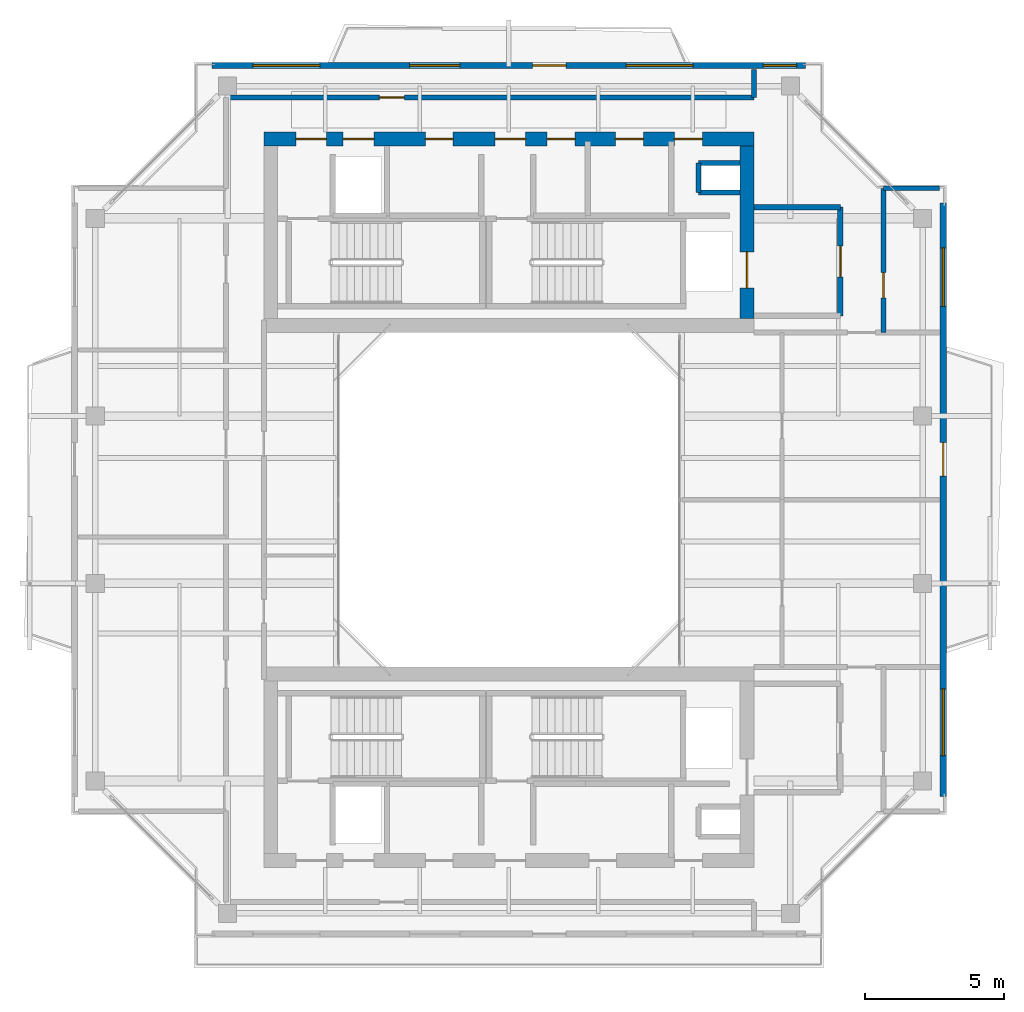
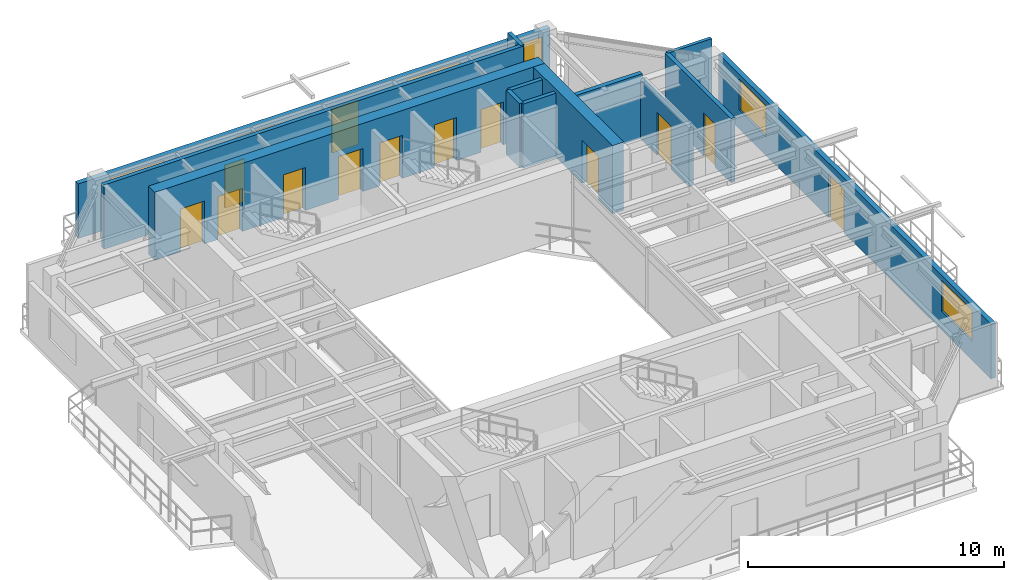
# One storey, part 11 of 15: 13 doors, 13 walls, 6 windows, 19 openings.
"""IFC4 building model written with IfcOpenShell, lengths in metres."""

from ifc_helpers import new_model, si_unit, direction, frame, frame_2d, origin, place, context, subcontext, project, spatial, rectangle, extrude, source, transform, mapped, material, layer, layer_set, type_object, element, fill, save


model = new_model("IFC4")

# Units and contexts
model_context = context("Model", 3, precision=1e-05, world=origin(), true_north=direction((0.0, 1.0)))
body_context = subcontext(model_context, "Body", "Model", "MODEL_VIEW")
ifc_project = project(units=[si_unit("LENGTHUNIT", "METRE"), si_unit("AREAUNIT", "SQUARE_METRE"), si_unit("VOLUMEUNIT", "CUBIC_METRE"), si_unit("PLANEANGLEUNIT", "RADIAN"), si_unit("MASSUNIT", "GRAM", prefix="KILO"), si_unit("THERMODYNAMICTEMPERATUREUNIT", "KELVIN"), si_unit("POWERUNIT", "WATT")], contexts=[model_context])

# Site, building, storey
site_placement = place(None, origin())
site = spatial("IfcSite", under=ifc_project, at=site_placement, CompositionType="ELEMENT")
building_placement = place(site_placement, origin())
building = spatial("IfcBuilding", under=site, at=building_placement, Name="Qiaomeng Ring Towers", CompositionType="ELEMENT")
storey_placement = place(building_placement, frame((0.0, 0.0, 237.25)))
storey = spatial("IfcBuildingStorey", under=building, at=storey_placement, Name="L69", CompositionType="ELEMENT", Elevation=237.25)

# Wall, openings, windows, door
ifc_material_1 = material(Name="Precast concrete C40", Category="concrete")
ifc_layer_1 = layer(ifc_material_1, 0.219970703125, Name="Precast concrete C40")
ifc_layer_set_1 = layer_set([ifc_layer_1], Name="Precast concrete C40")
wall_type_1 = type_object("IfcWallType", Name="ARC-WL-EW2", PredefinedType="STANDARD", material=ifc_layer_set_1)
wall_1_placement = place(storey_placement, frame((8.35009765625, 38.590087890625, 0.0), z_axis=(0.0, 0.0, 1.0), x_axis=(1.0, 0.0, 0.0)))
wall_1 = element("IfcWall", 1, at=wall_1_placement, inside=storey, type_object=wall_type_1, Name="L69 Tower 1 N Exterior Wall", PredefinedType="STANDARD", context=body_context, shape_type="SweptSolid", body=[
    extrude(rectangle(XDim=21.2998046875, YDim=0.219970703125, at=frame_2d((10.64990234375, 0.0))), origin(), (0.0, 0.0, 1.0), 2.610107421875),
])
opening_1_placement = place(wall_1_placement, frame((11.5, 0.0, 0.0)))
opening_1 = element("IfcOpeningElement", 2, at=opening_1_placement, cuts=wall_1, Name="Opening BD1", PredefinedType="OPENING", context=body_context, shape_type="SweptSolid", body=[
    extrude(rectangle(XDim=1.199951171875, YDim=2.10009765625, at=frame_2d((0.60009765625, 1.050048828125))), frame((0.0, 0.119873046875, 0.0), z_axis=(0.0, -1.0, 0.0), x_axis=(1.0, 0.0, 0.0)), (0.0, 0.0, 1.0), 0.239990234375),
])
opening_2_placement = place(wall_1_placement, frame((1.462890625, 0.0, 0.89990234375)))
opening_2 = element("IfcOpeningElement", 3, at=opening_2_placement, cuts=wall_1, Name="Opening WN6", PredefinedType="OPENING", context=body_context, shape_type="SweptSolid", body=[
    extrude(rectangle(XDim=2.39990234375, YDim=1.47998046875, at=frame_2d((1.199951171875, 0.739990234375))), frame((0.0, 0.119873046875, 0.0), z_axis=(0.0, -1.0, 0.0), x_axis=(1.0, 0.0, 0.0)), (0.0, 0.0, 1.0), 0.239990234375),
])
opening_3_placement = place(wall_1_placement, frame((7.087890625, 0.0, 0.89990234375)))
opening_3 = element("IfcOpeningElement", 4, at=opening_3_placement, cuts=wall_1, Name="Opening WN1", PredefinedType="OPENING", context=body_context, shape_type="SweptSolid", body=[
    extrude(rectangle(XDim=1.800048828125, YDim=1.449951171875, at=frame_2d((0.89990234375, 0.72509765625))), frame((0.0, 0.119873046875, 0.0), z_axis=(0.0, -1.0, 0.0), x_axis=(1.0, 0.0, 0.0)), (0.0, 0.0, 1.0), 0.239990234375),
])
opening_4_placement = place(wall_1_placement, frame((19.77490234375, 0.0, 0.89990234375)))
opening_4 = element("IfcOpeningElement", 5, at=opening_4_placement, cuts=wall_1, Name="Opening WN3", PredefinedType="OPENING", context=body_context, shape_type="SweptSolid", body=[
    extrude(rectangle(XDim=1.199951171875, YDim=1.39990234375, at=frame_2d((0.60009765625, 0.699951171875))), frame((0.0, 0.119873046875, 0.0), z_axis=(0.0, -1.0, 0.0), x_axis=(1.0, 0.0, 0.0)), (0.0, 0.0, 1.0), 0.239990234375),
])
opening_5_placement = place(wall_1_placement, frame((14.860107421875, 0.0, 0.89990234375)))
opening_5 = element("IfcOpeningElement", 6, at=opening_5_placement, cuts=wall_1, Name="Opening WN6", PredefinedType="OPENING", context=body_context, shape_type="SweptSolid", body=[
    extrude(rectangle(XDim=2.39990234375, YDim=1.5, at=frame_2d((1.199951171875, 0.75))), frame((0.0, 0.119873046875, 0.0), z_axis=(0.0, -1.0, 0.0), x_axis=(1.0, 0.0, 0.0)), (0.0, 0.0, 1.0), 0.239990234375),
])
ifc_material_2 = material(Name="Low-E dark-grey laminated double glazing", Category="glass")
window_type_1 = type_object("IfcWindowType", Name="ARC-WN-1", PartitioningType="DOUBLE_PANEL_VERTICAL", PredefinedType="WINDOW", material=ifc_material_2)
shared_shape_1 = source(origin(), body_context, "Body", "SweptSolid", [
    extrude(rectangle(XDim=1.800048828125, YDim=1.449951171875, at=frame_2d((0.89990234375, 0.72509765625))), frame((0.0, 0.030029296875, 0.0), z_axis=(0.0, -1.0, 0.0), x_axis=(1.0, 0.0, 0.0)), (0.0, 0.0, 1.0), 0.06005859375),
])
window_1_placement = place(opening_3_placement, origin())
window_1 = element("IfcWindow", 7, at=window_1_placement, inside=storey, type_object=window_type_1, Name="L69 Exterior Window WN1", OverallHeight=1.449951171875, OverallWidth=1.800048828125, PartitioningType="DOUBLE_PANEL_VERTICAL", PredefinedType="WINDOW", context=body_context, shape_type="MappedRepresentation", body=[
    mapped(shared_shape_1, transform((0.0, 0.0, 0.0), x_axis=(1.0, 0.0, 0.0), y_axis=(0.0, 1.0, 0.0), z_axis=(0.0, 0.0, 1.0), scale=1.0)),
])
fill(opening_3, window_1)
window_type_2 = type_object("IfcWindowType", Name="ARC-WN-6", PartitioningType="TRIPLE_PANEL_VERTICAL", PredefinedType="WINDOW", material=ifc_material_2)
shared_shape_2 = source(origin(), body_context, "Body", "SweptSolid", [
    extrude(rectangle(XDim=2.39990234375, YDim=1.47998046875, at=frame_2d((1.199951171875, 0.739990234375))), frame((0.0, 0.030029296875, 0.0), z_axis=(0.0, -1.0, 0.0), x_axis=(1.0, 0.0, 0.0)), (0.0, 0.0, 1.0), 0.06005859375),
])
window_2_placement = place(opening_2_placement, origin())
window_2 = element("IfcWindow", 8, at=window_2_placement, inside=storey, type_object=window_type_2, Name="L69 Exterior Window WN6", OverallHeight=1.47998046875, OverallWidth=2.39990234375, PartitioningType="TRIPLE_PANEL_VERTICAL", PredefinedType="WINDOW", context=body_context, shape_type="MappedRepresentation", body=[
    mapped(shared_shape_2, transform((0.0, 0.0, 0.0), x_axis=(1.0, 0.0, 0.0), y_axis=(0.0, 1.0, 0.0), z_axis=(0.0, 0.0, 1.0), scale=1.0)),
])
fill(opening_2, window_2)
door_type_1 = type_object("IfcDoorType", Name="ARC-DR-BD1", OperationType="NOTDEFINED", PredefinedType="DOOR", material=ifc_material_2)
shared_shape_3 = source(origin(), body_context, "Body", "SweptSolid", [
    extrude(rectangle(XDim=1.199951171875, YDim=2.10009765625, at=frame_2d((0.60009765625, 1.050048828125))), frame((0.0, 0.02490234375, 0.0), z_axis=(0.0, -1.0, 0.0), x_axis=(1.0, 0.0, 0.0)), (0.0, 0.0, 1.0), 0.050048828125),
])
door_1_placement = place(opening_1_placement, origin())
door_1 = element("IfcDoor", 9, at=door_1_placement, inside=storey, type_object=door_type_1, Name="L69 N Balcony Glazed Door", OperationType="SINGLE_SWING_LEFT", OverallHeight=2.10009765625, OverallWidth=1.199951171875, PredefinedType="DOOR", context=body_context, shape_type="MappedRepresentation", body=[
    mapped(shared_shape_3, transform((0.0, 0.0, 0.0), x_axis=(1.0, 0.0, 0.0), y_axis=(0.0, 1.0, 0.0), z_axis=(0.0, 0.0, 1.0), scale=1.0)),
])
fill(opening_1, door_1)
shared_shape_4 = source(origin(), body_context, "Body", "SweptSolid", [
    extrude(rectangle(XDim=2.39990234375, YDim=1.5, at=frame_2d((1.199951171875, 0.75))), frame((0.0, 0.030029296875, 0.0), z_axis=(0.0, -1.0, 0.0), x_axis=(1.0, 0.0, 0.0)), (0.0, 0.0, 1.0), 0.06005859375),
])
window_3_placement = place(opening_5_placement, origin())
window_3 = element("IfcWindow", 10, at=window_3_placement, inside=storey, type_object=window_type_2, Name="L69 Exterior Window WN6", OverallHeight=1.5, OverallWidth=2.39990234375, PartitioningType="TRIPLE_PANEL_VERTICAL", PredefinedType="WINDOW", context=body_context, shape_type="MappedRepresentation", body=[
    mapped(shared_shape_4, transform((0.0, 0.0, 0.0), x_axis=(1.0, 0.0, 0.0), y_axis=(0.0, 1.0, 0.0), z_axis=(0.0, 0.0, 1.0), scale=1.0)),
])
fill(opening_5, window_3)
window_type_3 = type_object("IfcWindowType", Name="ARC-WN-3", PartitioningType="SINGLE_PANEL", PredefinedType="WINDOW", material=ifc_material_2)
shared_shape_5 = source(origin(), body_context, "Body", "SweptSolid", [
    extrude(rectangle(XDim=1.199951171875, YDim=1.39990234375, at=frame_2d((0.60009765625, 0.699951171875))), frame((0.0, 0.030029296875, 0.0), z_axis=(0.0, -1.0, 0.0), x_axis=(1.0, 0.0, 0.0)), (0.0, 0.0, 1.0), 0.06005859375),
])
window_4_placement = place(opening_4_placement, origin())
window_4 = element("IfcWindow", 11, at=window_4_placement, inside=storey, type_object=window_type_3, Name="L69 Exterior Window WN4", OverallHeight=1.39990234375, OverallWidth=1.199951171875, PartitioningType="TRIPLE_PANEL_VERTICAL", PredefinedType="WINDOW", context=body_context, shape_type="MappedRepresentation", body=[
    mapped(shared_shape_5, transform((0.0, 0.0, 0.0), x_axis=(1.0, 0.0, 0.0), y_axis=(0.0, 1.0, 0.0), z_axis=(0.0, 0.0, 1.0), scale=1.0)),
])
fill(opening_4, window_4)

wall_2_placement = place(storey_placement, frame((34.590087890625, 12.35009765625, 0.0), z_axis=(0.0, 0.0, 1.0), x_axis=(0.0, 1.0, 0.0)))
wall_2 = element("IfcWall", 12, at=wall_2_placement, inside=storey, type_object=wall_type_1, Name="L69 Tower 1 E Exterior Wall", PredefinedType="STANDARD", context=body_context, shape_type="SweptSolid", body=[
    extrude(rectangle(XDim=21.2998046875, YDim=0.219970703125, at=frame_2d((10.64990234375, 0.0))), origin(), (0.0, 0.0, 1.0), 2.610107421875),
])
opening_6_placement = place(wall_2_placement, frame((11.5, 0.0, 0.0)))
opening_6 = element("IfcOpeningElement", 13, at=opening_6_placement, cuts=wall_2, Name="Opening BD1", PredefinedType="OPENING", context=body_context, shape_type="SweptSolid", body=[
    extrude(rectangle(XDim=1.199951171875, YDim=2.10009765625, at=frame_2d((0.60009765625, 1.050048828125))), frame((0.0, 0.119873046875, 0.0), z_axis=(0.0, -1.0, 0.0), x_axis=(1.0, 0.0, 0.0)), (0.0, 0.0, 1.0), 0.239990234375),
])
opening_7_placement = place(wall_2_placement, frame((1.462890625, 0.0, 0.89990234375)))
opening_7 = element("IfcOpeningElement", 14, at=opening_7_placement, cuts=wall_2, Name="Opening WN6", PredefinedType="OPENING", context=body_context, shape_type="SweptSolid", body=[
    extrude(rectangle(XDim=2.39990234375, YDim=1.47998046875, at=frame_2d((1.199951171875, 0.739990234375))), frame((0.0, 0.119873046875, 0.0), z_axis=(0.0, -1.0, 0.0), x_axis=(1.0, 0.0, 0.0)), (0.0, 0.0, 1.0), 0.239990234375),
])
opening_8_placement = place(wall_2_placement, frame((17.587890625, 0.0, 0.89990234375)))
opening_8 = element("IfcOpeningElement", 15, at=opening_8_placement, cuts=wall_2, Name="Opening WN4", PredefinedType="OPENING", context=body_context, shape_type="SweptSolid", body=[
    extrude(rectangle(XDim=2.10009765625, YDim=1.47998046875, at=frame_2d((1.050048828125, 0.739990234375))), frame((0.0, 0.119873046875, 0.0), z_axis=(0.0, -1.0, 0.0), x_axis=(1.0, 0.0, 0.0)), (0.0, 0.0, 1.0), 0.239990234375),
])
window_type_4 = type_object("IfcWindowType", Name="ARC-WN-4", PartitioningType="TRIPLE_PANEL_VERTICAL", PredefinedType="WINDOW", material=ifc_material_2)
shared_shape_6 = source(origin(), body_context, "Body", "SweptSolid", [
    extrude(rectangle(XDim=2.10009765625, YDim=1.47998046875, at=frame_2d((1.050048828125, 0.739990234375))), frame((0.0, 0.030029296875, 0.0), z_axis=(0.0, -1.0, 0.0), x_axis=(1.0, 0.0, 0.0)), (0.0, 0.0, 1.0), 0.06005859375),
])
window_5_placement = place(opening_8_placement, origin())
window_5 = element("IfcWindow", 16, at=window_5_placement, inside=storey, type_object=window_type_4, Name="L69 Exterior Window WN4", OverallHeight=1.47998046875, OverallWidth=2.10009765625, PartitioningType="TRIPLE_PANEL_VERTICAL", PredefinedType="WINDOW", context=body_context, shape_type="MappedRepresentation", body=[
    mapped(shared_shape_6, transform((0.0, 0.0, 0.0), x_axis=(1.0, 0.0, 0.0), y_axis=(0.0, 1.0, 0.0), z_axis=(0.0, 0.0, 1.0), scale=1.0)),
])
fill(opening_8, window_5)
window_6_placement = place(opening_7_placement, origin())
window_6 = element("IfcWindow", 17, at=window_6_placement, inside=storey, type_object=window_type_2, Name="L69 Exterior Window WN6", OverallHeight=1.47998046875, OverallWidth=2.39990234375, PartitioningType="TRIPLE_PANEL_VERTICAL", PredefinedType="WINDOW", context=body_context, shape_type="MappedRepresentation", body=[
    mapped(shared_shape_2, transform((0.0, 0.0, 0.0), x_axis=(1.0, 0.0, 0.0), y_axis=(0.0, 1.0, 0.0), z_axis=(0.0, 0.0, 1.0), scale=1.0)),
])
fill(opening_7, window_6)
door_2_placement = place(opening_6_placement, origin())
door_2 = element("IfcDoor", 18, at=door_2_placement, inside=storey, type_object=door_type_1, Name="L69 E Balcony Glazed Door", OperationType="SINGLE_SWING_LEFT", OverallHeight=2.10009765625, OverallWidth=1.199951171875, PredefinedType="DOOR", context=body_context, shape_type="MappedRepresentation", body=[
    mapped(shared_shape_3, transform((0.0, 0.0, 0.0), x_axis=(1.0, 0.0, 0.0), y_axis=(0.0, 1.0, 0.0), z_axis=(0.0, 0.0, 1.0), scale=1.0)),
])
fill(opening_6, door_2)

# Wall
ifc_material_3 = material(Name="Autoclaved aerated concrete block", Category="concrete")
ifc_layer_2 = layer(ifc_material_3, 0.199951171875, Name="Autoclaved aerated concrete block")
ifc_layer_set_2 = layer_set([ifc_layer_2], Name="Autoclaved aerated concrete block")
wall_type_2 = type_object("IfcWallType", Name="ARC-WL-PW1", PredefinedType="PARTITIONING", material=ifc_layer_set_2)
wall_3_placement = place(storey_placement, frame((27.800048828125, 33.5, 0.0), z_axis=(0.0, 0.0, 1.0), x_axis=(1.0, 0.0, 0.0)))
element("IfcWall", 19, at=wall_3_placement, inside=storey, type_object=wall_type_2, Name="L69 Interior Wall PW1", PredefinedType="PARTITIONING", context=body_context, shape_type="SweptSolid", body=[
    extrude(rectangle(XDim=3.099853515625, YDim=0.199951171875, at=frame_2d((1.5498046875, 0.0))), origin(), (0.0, 0.0, 1.0), 3.070068359375),
])

# Wall, opening, door
wall_4_placement = place(storey_placement, frame((30.89990234375, 29.60009765625, 0.0), z_axis=(0.0, 0.0, 1.0), x_axis=(0.0, 1.0, 0.0)))
wall_4 = element("IfcWall", 20, at=wall_4_placement, inside=storey, type_object=wall_type_2, Name="L69 Interior Wall PW1", PredefinedType="PARTITIONING", context=body_context, shape_type="SweptSolid", body=[
    extrude(rectangle(XDim=3.89990234375, YDim=0.199951171875, at=frame_2d((1.949951171875, 0.0))), origin(), (0.0, 0.0, 1.0), 2.81494140625),
])
opening_9_placement = place(wall_4_placement, frame((1.39990234375, 0.0, 0.0)))
opening_9 = element("IfcOpeningElement", 21, at=opening_9_placement, cuts=wall_4, Name="Opening FD3", PredefinedType="OPENING", context=body_context, shape_type="SweptSolid", body=[
    extrude(rectangle(XDim=1.10009765625, YDim=2.050048828125, at=frame_2d((0.550048828125, 1.02490234375))), frame((0.0, 0.10986328125, 0.0), z_axis=(0.0, -1.0, 0.0), x_axis=(1.0, 0.0, 0.0)), (0.0, 0.0, 1.0), 0.219970703125),
])
ifc_material_4 = material(Name="Galvanised steel", Category="steel")
door_type_2 = type_object("IfcDoorType", Name="ARC-DR-FD3", OperationType="NOTDEFINED", PredefinedType="DOOR", material=ifc_material_4)
shared_shape_7 = source(origin(), body_context, "Body", "SweptSolid", [
    extrude(rectangle(XDim=1.10009765625, YDim=2.050048828125, at=frame_2d((0.550048828125, 1.02490234375))), frame((0.0, 0.02490234375, 0.0), z_axis=(0.0, -1.0, 0.0), x_axis=(1.0, 0.0, 0.0)), (0.0, 0.0, 1.0), 0.050048828125),
])
door_3_placement = place(opening_9_placement, origin())
door_3 = element("IfcDoor", 22, at=door_3_placement, inside=storey, type_object=door_type_2, Name="L69 North FF Lobby Door", OperationType="SINGLE_SWING_RIGHT", OverallHeight=2.050048828125, OverallWidth=1.10009765625, PredefinedType="DOOR", context=body_context, shape_type="MappedRepresentation", body=[
    mapped(shared_shape_7, transform((0.0, 0.0, 0.0), x_axis=(1.0, 0.0, 0.0), y_axis=(0.0, 1.0, 0.0), z_axis=(0.0, 0.0, 1.0), scale=1.0)),
])
fill(opening_9, door_3)

# Wall
ifc_layer_3 = layer(ifc_material_3, 0.179931640625, Name="Autoclaved aerated concrete block")
ifc_layer_set_3 = layer_set([ifc_layer_3], Name="Autoclaved aerated concrete block")
wall_type_3 = type_object("IfcWallType", Name="ARC-WL-PW2", PredefinedType="PARTITIONING", material=ifc_layer_set_3)
wall_5_placement = place(storey_placement, frame((27.800048828125, 37.43994140625, 0.0), z_axis=(0.0, 0.0, 1.0), x_axis=(0.0, 1.0, 0.0)))
element("IfcWall", 23, at=wall_5_placement, inside=storey, type_object=wall_type_3, Name="L69 Interior Wall PW2", PredefinedType="PARTITIONING", context=body_context, shape_type="SweptSolid", body=[
    extrude(rectangle(XDim=1.010009765625, YDim=0.179931640625, at=frame_2d((0.5048828125, 0.0))), origin(), (0.0, 0.0, 1.0), 3.070068359375),
])

# Wall, opening, door
wall_6_placement = place(storey_placement, frame((8.85009765625, 37.43994140625, 0.0), z_axis=(0.0, 0.0, 1.0), x_axis=(1.0, 0.0, 0.0)))
wall_6 = element("IfcWall", 24, at=wall_6_placement, inside=storey, type_object=wall_type_3, Name="L69 Interior Wall PW2", PredefinedType="PARTITIONING", context=body_context, shape_type="SweptSolid", body=[
    extrude(rectangle(XDim=18.949951171875, YDim=0.179931640625, at=frame_2d((9.47509765625, 0.0))), origin(), (0.0, 0.0, 1.0), 3.070068359375),
])
opening_10_placement = place(wall_6_placement, frame((5.5, 0.0, 0.0)))
opening_10 = element("IfcOpeningElement", 25, at=opening_10_placement, cuts=wall_6, Name="Opening ID1", PredefinedType="OPENING", context=body_context, shape_type="SweptSolid", body=[
    extrude(rectangle(XDim=0.89990234375, YDim=2.050048828125, at=frame_2d((0.449951171875, 1.02490234375))), frame((0.0, 0.099853515625, 0.0), z_axis=(0.0, -1.0, 0.0), x_axis=(1.0, 0.0, 0.0)), (0.0, 0.0, 1.0), 0.199951171875),
])
ifc_material_5 = material(Name="Engineered oak timber", Category="wood")
door_type_3 = type_object("IfcDoorType", Name="ARC-DR-ID1", OperationType="NOTDEFINED", PredefinedType="DOOR", material=ifc_material_5)
shared_shape_8 = source(origin(), body_context, "Body", "SweptSolid", [
    extrude(rectangle(XDim=0.89990234375, YDim=2.050048828125, at=frame_2d((0.449951171875, 1.02490234375))), frame((0.0, 0.02490234375, 0.0), z_axis=(0.0, -1.0, 0.0), x_axis=(1.0, 0.0, 0.0)), (0.0, 0.0, 1.0), 0.050048828125),
])
door_4_placement = place(opening_10_placement, origin())
door_4 = element("IfcDoor", 26, at=door_4_placement, inside=storey, type_object=door_type_3, Name="L69 Door ID1", OperationType="SINGLE_SWING_LEFT", OverallHeight=2.050048828125, OverallWidth=0.89990234375, PredefinedType="DOOR", context=body_context, shape_type="MappedRepresentation", body=[
    mapped(shared_shape_8, transform((0.0, 0.0, 0.0), x_axis=(1.0, 0.0, 0.0), y_axis=(0.0, 1.0, 0.0), z_axis=(0.0, 0.0, 1.0), scale=1.0)),
])
fill(opening_10, door_4)

wall_7_placement = place(storey_placement, frame((32.449951171875, 29.0, 0.0), z_axis=(0.0, 0.0, 1.0), x_axis=(0.0, 1.0, 0.0)))
wall_7 = element("IfcWall", 27, at=wall_7_placement, inside=storey, type_object=wall_type_3, Name="L69 Interior Wall PW2", PredefinedType="PARTITIONING", context=body_context, shape_type="SweptSolid", body=[
    extrude(rectangle(XDim=5.179931640625, YDim=0.179931640625, at=frame_2d((2.58984375, 0.0))), origin(), (0.0, 0.0, 1.0), 3.070068359375),
])
opening_11_placement = place(wall_7_placement, frame((1.25, 0.0, 0.0)))
opening_11 = element("IfcOpeningElement", 28, at=opening_11_placement, cuts=wall_7, Name="Opening ID1", PredefinedType="OPENING", context=body_context, shape_type="SweptSolid", body=[
    extrude(rectangle(XDim=0.89990234375, YDim=2.050048828125, at=frame_2d((0.449951171875, 1.02490234375))), frame((0.0, 0.099853515625, 0.0), z_axis=(0.0, -1.0, 0.0), x_axis=(1.0, 0.0, 0.0)), (0.0, 0.0, 1.0), 0.199951171875),
])
door_5_placement = place(opening_11_placement, origin())
door_5 = element("IfcDoor", 29, at=door_5_placement, inside=storey, type_object=door_type_3, Name="L69 Door ID1", OperationType="SINGLE_SWING_RIGHT", OverallHeight=2.050048828125, OverallWidth=0.89990234375, PredefinedType="DOOR", context=body_context, shape_type="MappedRepresentation", body=[
    mapped(shared_shape_8, transform((0.0, 0.0, 0.0), x_axis=(1.0, 0.0, 0.0), y_axis=(0.0, 1.0, 0.0), z_axis=(0.0, 0.0, 1.0), scale=1.0)),
])
fill(opening_11, door_5)

# Walls
ifc_material_6 = material(Name="Gypsum fireboard steel-stud partition", Category="steel")
ifc_layer_4 = layer(ifc_material_6, 0.14990234375, Name="Gypsum fireboard steel-stud partition")
ifc_layer_set_4 = layer_set([ifc_layer_4], Name="Gypsum fireboard steel-stud partition")
wall_type_4 = type_object("IfcWallType", Name="ARC-WL-PW3", PredefinedType="PARTITIONING", material=ifc_layer_set_4)
wall_8_placement = place(storey_placement, frame((32.449951171875, 34.179931640625, 0.0), z_axis=(0.0, 0.0, 1.0), x_axis=(1.0, 0.0, 0.0)))
element("IfcWall", 30, at=wall_8_placement, inside=storey, type_object=wall_type_4, Name="L69 Interior Wall PW3", PredefinedType="PARTITIONING", context=body_context, shape_type="SweptSolid", body=[
    extrude(rectangle(XDim=2.0, YDim=0.14990234375, at=frame_2d((1.0, 0.0))), origin(), (0.0, 0.0, 1.0), 3.070068359375),
])
ifc_material_7 = material(Name="Concrete C40", Category="concrete")
ifc_layer_5 = layer(ifc_material_7, 0.199951171875, Name="Concrete C40")
ifc_layer_set_5 = layer_set([ifc_layer_5], Name="Concrete C40")
wall_type_5 = type_object("IfcWallType", Name="STR-WL-STSHAFT", PredefinedType="SHEAR", material=ifc_layer_set_5)
wall_9_placement = place(storey_placement, frame((25.800048828125, 34.02001953125, 0.0), z_axis=(0.0, 0.0, 1.0), x_axis=(0.0, 1.0, 0.0)))
element("IfcWall", 31, at=wall_9_placement, inside=storey, type_object=wall_type_5, Name="L69 Riser RSR1 West Shaft Wall N", PredefinedType="SHEAR", context=body_context, shape_type="SweptSolid", body=[
    extrude(rectangle(XDim=1.06005859375, YDim=0.179931640625, at=frame_2d((0.530029296875, 0.0))), origin(), (0.0, 0.0, 1.0), 3.070068359375),
])
for number, where, z_axis, x_axis, name in (
    (32, (25.800048828125, 35.080078125, 0.0), (0.0, 0.0, 1.0), (1.0, 0.0, 0.0), "L69 Riser RSR1 North Shaft Wall N"),
    (33, (25.800048828125, 34.02001953125, 0.0), (0.0, 0.0, 1.0), (1.0, 0.0, 0.0), "L69 Riser RSR1 South Shaft Wall N"),
):
    element("IfcWall", number, at=place(storey_placement, frame(where, z_axis=z_axis, x_axis=x_axis)), inside=storey, type_object=wall_type_5, Name=name, PredefinedType="SHEAR", context=body_context, shape_type="SweptSolid", body=[
        extrude(rectangle(XDim=1.5, YDim=0.179931640625, at=frame_2d((0.75, 0.0))), origin(), (0.0, 0.0, 1.0), 3.070068359375),
    ])

# Wall, openings, doors
ifc_layer_6 = layer(ifc_material_7, 0.5, Name="Concrete C40")
ifc_layer_set_6 = layer_set([ifc_layer_6], Name="Concrete C40")
wall_type_6 = type_object("IfcWallType", Name="STR-WL-SW3", PredefinedType="SHEAR", material=ifc_layer_set_6)
wall_10_placement = place(storey_placement, frame((10.199951171875, 35.949951171875, 0.0), z_axis=(0.0, 0.0, 1.0), x_axis=(1.0, 0.0, 0.0)))
wall_10 = element("IfcWall", 34, at=wall_10_placement, inside=storey, type_object=wall_type_6, Name="L69 T1NC north core shear wall", PredefinedType="SHEAR", context=body_context, shape_type="SweptSolid", body=[
    extrude(rectangle(XDim=17.60009765625, YDim=0.5, at=frame_2d((8.800048828125, 0.0))), origin(), (0.0, 0.0, 1.0), 3.25),
])
opening_12_placement = place(wall_10_placement, frame((1.14990234375, 0.0, 0.0)))
opening_12 = element("IfcOpeningElement", 35, at=opening_12_placement, cuts=wall_10, Name="Opening FD3", PredefinedType="OPENING", context=body_context, shape_type="SweptSolid", body=[
    extrude(rectangle(XDim=1.10009765625, YDim=2.050048828125, at=frame_2d((0.550048828125, 1.02490234375))), frame((0.0, 0.260009765625, 0.0), z_axis=(0.0, -1.0, 0.0), x_axis=(1.0, 0.0, 0.0)), (0.0, 0.0, 1.0), 0.52001953125),
])
opening_13_placement = place(wall_10_placement, frame((8.300048828125, 0.0, 0.0)))
opening_13 = element("IfcOpeningElement", 36, at=opening_13_placement, cuts=wall_10, Name="Opening FD3", PredefinedType="OPENING", context=body_context, shape_type="SweptSolid", body=[
    extrude(rectangle(XDim=1.10009765625, YDim=2.050048828125, at=frame_2d((0.550048828125, 1.02490234375))), frame((0.0, 0.260009765625, 0.0), z_axis=(0.0, -1.0, 0.0), x_axis=(1.0, 0.0, 0.0)), (0.0, 0.0, 1.0), 0.52001953125),
])
opening_14_placement = place(wall_10_placement, frame((2.85009765625, 0.0, 0.0)))
opening_14 = element("IfcOpeningElement", 37, at=opening_14_placement, cuts=wall_10, Name="Opening LD1", PredefinedType="OPENING", context=body_context, shape_type="SweptSolid", body=[
    extrude(rectangle(XDim=1.10009765625, YDim=2.050048828125, at=frame_2d((0.550048828125, 1.02490234375))), frame((0.0, 0.260009765625, 0.0), z_axis=(0.0, -1.0, 0.0), x_axis=(1.0, 0.0, 0.0)), (0.0, 0.0, 1.0), 0.52001953125),
])
opening_15_placement = place(wall_10_placement, frame((5.800048828125, 0.0, 0.0)))
opening_15 = element("IfcOpeningElement", 38, at=opening_15_placement, cuts=wall_10, Name="Opening FD1", PredefinedType="OPENING", context=body_context, shape_type="SweptSolid", body=[
    extrude(rectangle(XDim=1.0, YDim=2.050048828125, at=frame_2d((0.5, 1.02490234375))), frame((0.0, 0.260009765625, 0.0), z_axis=(0.0, -1.0, 0.0), x_axis=(1.0, 0.0, 0.0)), (0.0, 0.0, 1.0), 0.52001953125),
])
opening_16_placement = place(wall_10_placement, frame((14.739990234375, 0.0, 0.0)))
opening_16 = element("IfcOpeningElement", 39, at=opening_16_placement, cuts=wall_10, Name="Opening FD1", PredefinedType="OPENING", context=body_context, shape_type="SweptSolid", body=[
    extrude(rectangle(XDim=1.0, YDim=2.050048828125, at=frame_2d((0.5, 1.02490234375))), frame((0.0, 0.260009765625, 0.0), z_axis=(0.0, -1.0, 0.0), x_axis=(1.0, 0.0, 0.0)), (0.0, 0.0, 1.0), 0.52001953125),
])
opening_17_placement = place(wall_10_placement, frame((10.175048828125, 0.0, 0.0)))
opening_17 = element("IfcOpeningElement", 40, at=opening_17_placement, cuts=wall_10, Name="Opening FD1", PredefinedType="OPENING", context=body_context, shape_type="SweptSolid", body=[
    extrude(rectangle(XDim=1.0, YDim=2.050048828125, at=frame_2d((0.5, 1.02490234375))), frame((0.0, 0.260009765625, 0.0), z_axis=(0.0, -1.0, 0.0), x_axis=(1.0, 0.0, 0.0)), (0.0, 0.0, 1.0), 0.52001953125),
])
opening_18_placement = place(wall_10_placement, frame((12.625, 0.0, 0.0)))
opening_18 = element("IfcOpeningElement", 41, at=opening_18_placement, cuts=wall_10, Name="Opening FD1", PredefinedType="OPENING", context=body_context, shape_type="SweptSolid", body=[
    extrude(rectangle(XDim=1.0, YDim=2.050048828125, at=frame_2d((0.5, 1.02490234375))), frame((0.0, 0.260009765625, 0.0), z_axis=(0.0, -1.0, 0.0), x_axis=(1.0, 0.0, 0.0)), (0.0, 0.0, 1.0), 0.52001953125),
])
door_6_placement = place(opening_12_placement, origin())
door_6 = element("IfcDoor", 42, at=door_6_placement, inside=storey, type_object=door_type_2, Name="L69 Stair ST1 Lobby Door", OperationType="SINGLE_SWING_RIGHT", OverallHeight=2.050048828125, OverallWidth=1.10009765625, PredefinedType="DOOR", context=body_context, shape_type="MappedRepresentation", body=[
    mapped(shared_shape_7, transform((0.0, 0.0, 0.0), x_axis=(1.0, 0.0, 0.0), y_axis=(0.0, 1.0, 0.0), z_axis=(0.0, 0.0, 1.0), scale=1.0)),
])
fill(opening_12, door_6)
door_7_placement = place(opening_13_placement, origin())
door_7 = element("IfcDoor", 43, at=door_7_placement, inside=storey, type_object=door_type_2, Name="L69 Stair ST2 Lobby Door", OperationType="SINGLE_SWING_RIGHT", OverallHeight=2.050048828125, OverallWidth=1.10009765625, PredefinedType="DOOR", context=body_context, shape_type="MappedRepresentation", body=[
    mapped(shared_shape_7, transform((0.0, 0.0, 0.0), x_axis=(1.0, 0.0, 0.0), y_axis=(0.0, 1.0, 0.0), z_axis=(0.0, 0.0, 1.0), scale=1.0)),
])
fill(opening_13, door_7)
ifc_material_8 = material(Name="Stainless steel 316", Category="steel")
door_type_4 = type_object("IfcDoorType", Name="ARC-DR-LD1", OperationType="NOTDEFINED", PredefinedType="DOOR", material=ifc_material_8)
door_8_placement = place(opening_14_placement, origin())
door_8 = element("IfcDoor", 44, at=door_8_placement, inside=storey, type_object=door_type_4, Name="L69 High-Zone Lift LP5 Landing Door", OperationType="SLIDING_TO_LEFT", OverallHeight=2.050048828125, OverallWidth=1.10009765625, PredefinedType="DOOR", context=body_context, shape_type="MappedRepresentation", body=[
    mapped(shared_shape_7, transform((0.0, 0.0, 0.0), x_axis=(1.0, 0.0, 0.0), y_axis=(0.0, 1.0, 0.0), z_axis=(0.0, 0.0, 1.0), scale=1.0)),
])
fill(opening_14, door_8)
door_type_5 = type_object("IfcDoorType", Name="ARC-DR-FD1", OperationType="NOTDEFINED", PredefinedType="DOOR", material=ifc_material_4)
shared_shape_9 = source(origin(), body_context, "Body", "SweptSolid", [
    extrude(rectangle(XDim=1.0, YDim=2.050048828125, at=frame_2d((0.5, 1.02490234375))), frame((0.0, 0.02490234375, 0.0), z_axis=(0.0, -1.0, 0.0), x_axis=(1.0, 0.0, 0.0)), (0.0, 0.0, 1.0), 0.050048828125),
])
door_9_placement = place(opening_15_placement, origin())
door_9 = element("IfcDoor", 45, at=door_9_placement, inside=storey, type_object=door_type_5, Name="L69 High-Zone Facilities Office Door", OperationType="SINGLE_SWING_RIGHT", OverallHeight=2.050048828125, OverallWidth=1.0, PredefinedType="DOOR", context=body_context, shape_type="MappedRepresentation", body=[
    mapped(shared_shape_9, transform((0.0, 0.0, 0.0), x_axis=(1.0, 0.0, 0.0), y_axis=(0.0, 1.0, 0.0), z_axis=(0.0, 0.0, 1.0), scale=1.0)),
])
fill(opening_15, door_9)
door_10_placement = place(opening_16_placement, origin())
door_10 = element("IfcDoor", 46, at=door_10_placement, inside=storey, type_object=door_type_5, Name="L69 North Electrical Riser Door", OperationType="SINGLE_SWING_RIGHT", OverallHeight=2.050048828125, OverallWidth=1.0, PredefinedType="DOOR", context=body_context, shape_type="MappedRepresentation", body=[
    mapped(shared_shape_9, transform((0.0, 0.0, 0.0), x_axis=(1.0, 0.0, 0.0), y_axis=(0.0, 1.0, 0.0), z_axis=(0.0, 0.0, 1.0), scale=1.0)),
])
fill(opening_16, door_10)
door_11_placement = place(opening_17_placement, origin())
door_11 = element("IfcDoor", 47, at=door_11_placement, inside=storey, type_object=door_type_5, Name="L69 North Cleaners Store Door", OperationType="SINGLE_SWING_RIGHT", OverallHeight=2.050048828125, OverallWidth=1.0, PredefinedType="DOOR", context=body_context, shape_type="MappedRepresentation", body=[
    mapped(shared_shape_9, transform((0.0, 0.0, 0.0), x_axis=(1.0, 0.0, 0.0), y_axis=(0.0, 1.0, 0.0), z_axis=(0.0, 0.0, 1.0), scale=1.0)),
])
fill(opening_17, door_11)
door_12_placement = place(opening_18_placement, origin())
door_12 = element("IfcDoor", 48, at=door_12_placement, inside=storey, type_object=door_type_5, Name="L69 North Telemetry Office Door", OperationType="SINGLE_SWING_LEFT", OverallHeight=2.050048828125, OverallWidth=1.0, PredefinedType="DOOR", context=body_context, shape_type="MappedRepresentation", body=[
    mapped(shared_shape_9, transform((0.0, 0.0, 0.0), x_axis=(1.0, 0.0, 0.0), y_axis=(0.0, 1.0, 0.0), z_axis=(0.0, 0.0, 1.0), scale=1.0)),
])
fill(opening_18, door_12)

# Wall, opening, door
wall_11_placement = place(storey_placement, frame((27.550048828125, 29.5, 0.0), z_axis=(0.0, 0.0, 1.0), x_axis=(0.0, 1.0, 0.0)))
wall_11 = element("IfcWall", 49, at=wall_11_placement, inside=storey, type_object=wall_type_6, Name="L69 T1NC east core shear wall", PredefinedType="SHEAR", context=body_context, shape_type="SweptSolid", body=[
    extrude(rectangle(XDim=6.199951171875, YDim=0.5, at=frame_2d((3.10009765625, 0.0))), origin(), (0.0, 0.0, 1.0), 3.25),
])
opening_19_placement = place(wall_11_placement, frame((1.10009765625, 0.0, 0.0)))
opening_19 = element("IfcOpeningElement", 50, at=opening_19_placement, cuts=wall_11, Name="Opening LD2", PredefinedType="OPENING", context=body_context, shape_type="SweptSolid", body=[
    extrude(rectangle(XDim=1.300048828125, YDim=2.050048828125, at=frame_2d((0.64990234375, 1.02490234375))), frame((0.0, 0.260009765625, 0.0), z_axis=(0.0, -1.0, 0.0), x_axis=(1.0, 0.0, 0.0)), (0.0, 0.0, 1.0), 0.52001953125),
])
door_type_6 = type_object("IfcDoorType", Name="ARC-DR-LD2", OperationType="NOTDEFINED", PredefinedType="DOOR", material=ifc_material_8)
shared_shape_10 = source(origin(), body_context, "Body", "SweptSolid", [
    extrude(rectangle(XDim=1.300048828125, YDim=2.050048828125, at=frame_2d((0.64990234375, 1.02490234375))), frame((0.0, 0.02490234375, 0.0), z_axis=(0.0, -1.0, 0.0), x_axis=(1.0, 0.0, 0.0)), (0.0, 0.0, 1.0), 0.050048828125),
])
door_13_placement = place(opening_19_placement, origin())
door_13 = element("IfcDoor", 51, at=door_13_placement, inside=storey, type_object=door_type_6, Name="L69 Firefighting Lift FL1 Landing Door", OperationType="SLIDING_TO_LEFT", OverallHeight=2.050048828125, OverallWidth=1.300048828125, PredefinedType="DOOR", context=body_context, shape_type="MappedRepresentation", body=[
    mapped(shared_shape_10, transform((0.0, 0.0, 0.0), x_axis=(1.0, 0.0, 0.0), y_axis=(0.0, 1.0, 0.0), z_axis=(0.0, 0.0, 1.0), scale=1.0)),
])
fill(opening_19, door_13)

save(model, "model.ifc")
